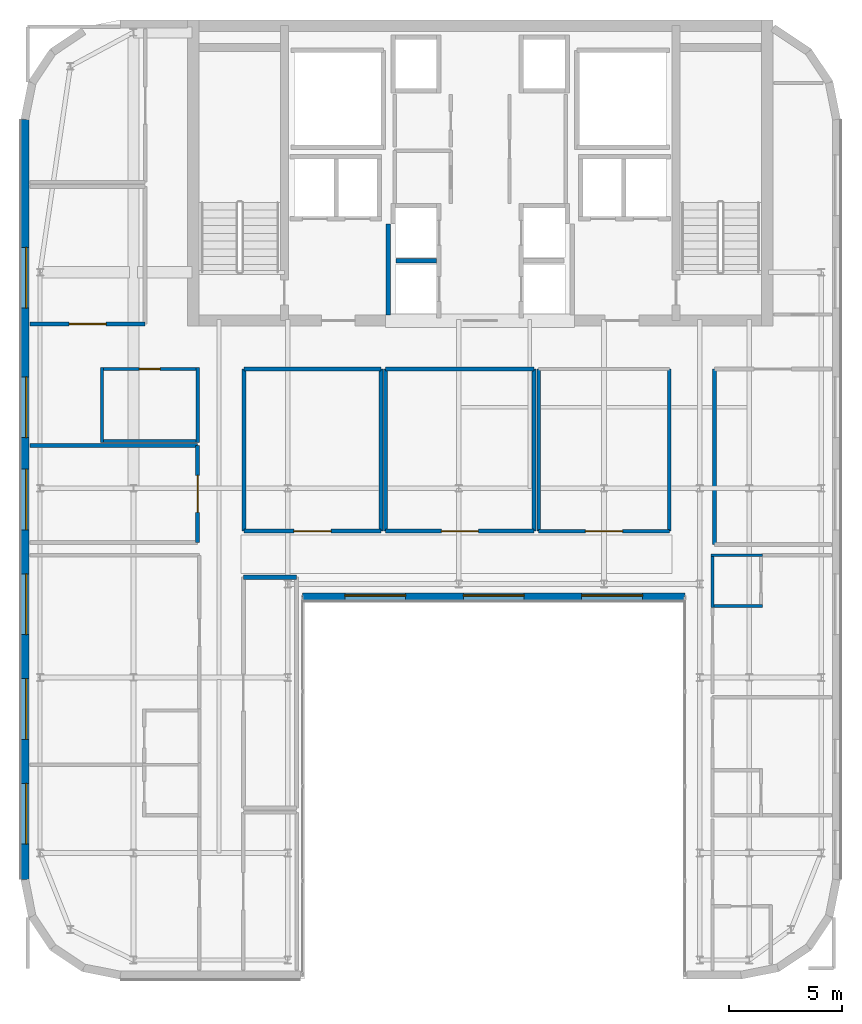
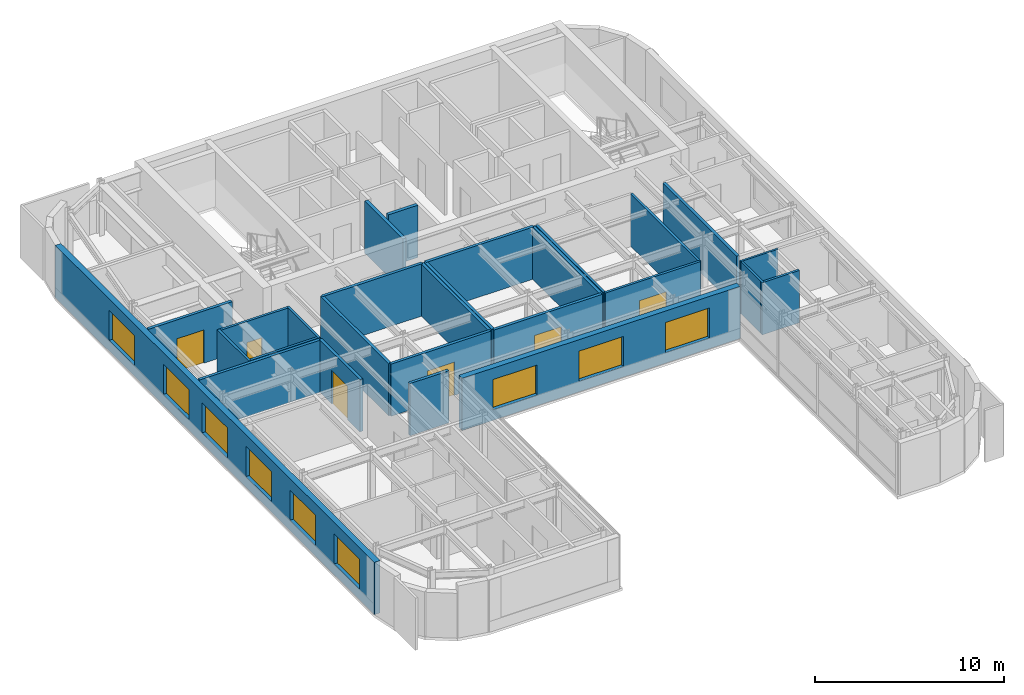
# One storey, part 14 of 21: 27 walls, 9 windows, 6 doors, 15 openings.
"""IFC4 building model written with IfcOpenShell, lengths in metres."""

from ifc_helpers import new_model, si_unit, direction, frame, frame_2d, origin, place, context, subcontext, project, spatial, rectangle, extrude, source, transform, mapped, material, layer, layer_set, type_object, type_shapes, element, fill, save


model = new_model("IFC4")

# Units and contexts
model_context = context("Model", 3, precision=1e-05, world=origin(), true_north=direction((0.0, 1.0)))
body_context = subcontext(model_context, "Body", "Model", "MODEL_VIEW")
ifc_project = project(units=[si_unit("LENGTHUNIT", "METRE"), si_unit("AREAUNIT", "SQUARE_METRE"), si_unit("VOLUMEUNIT", "CUBIC_METRE"), si_unit("PLANEANGLEUNIT", "RADIAN"), si_unit("MASSUNIT", "GRAM", prefix="KILO")], contexts=[model_context])

# Site, building, storey
site_placement = place(None, origin())
site = spatial("IfcSite", under=ifc_project, at=site_placement, CompositionType="ELEMENT")
building_placement = place(site_placement, origin())
building = spatial("IfcBuilding", under=site, at=building_placement, Name="Tolvann Quenvar Hotel", CompositionType="ELEMENT")
storey_placement = place(building_placement, frame((0.0, 0.0, 255.85009765625)))
storey = spatial("IfcBuildingStorey", under=building, at=storey_placement, Name="L68", CompositionType="ELEMENT", Elevation=255.85009765625)

# Wall, openings, windows
ifc_material_1 = material(Name="Kiln-fired red and buff architectural clay brickwork and terracotta masonry", Category="masonry")
ifc_layer_1 = layer(ifc_material_1, 0.35009765625)
ifc_layer_set_1 = layer_set([ifc_layer_1], Name="Kiln-fired red and buff architectural clay brickwork and terracotta masonry")
wall_type_1 = type_object("IfcWallType", Name="WALL_EXT_BRICK_350", PredefinedType="SOLIDWALL", material=ifc_layer_set_1)
wall_1_placement = place(storey_placement, frame((15.110107421875, 19.574951171875, 0.0), z_axis=(0.0, 0.0, 1.0), x_axis=(1.0, 0.0, 0.0)))
wall_1 = element("IfcWall", 1, at=wall_1_placement, inside=storey, type_object=wall_type_1, Name="Exterior Chicago Brick Wall L68-E06", PredefinedType="SOLIDWALL", context=body_context, shape_type="SweptSolid", body=[
    extrude(rectangle(XDim=16.97998046875, YDim=0.35009765625, at=frame_2d((8.489990234375, 0.0))), origin(), (0.0, 0.0, 1.0), 3.369873046875),
])
opening_1_placement = place(wall_1_placement, frame((1.8798828125, 0.0, 0.679931640625)))
opening_1 = element("IfcOpeningElement", 2, at=opening_1_placement, cuts=wall_1, Name="Opening W-04", PredefinedType="OPENING", context=body_context, shape_type="SweptSolid", body=[
    extrude(rectangle(XDim=2.699951171875, YDim=1.949951171875, at=frame_2d((1.35009765625, 0.97509765625))), frame((0.0, 0.18505859375, 0.0), z_axis=(0.0, -1.0, 0.0), x_axis=(1.0, 0.0, 0.0)), (0.0, 0.0, 1.0), 0.3701171875),
])
opening_2_placement = place(wall_1_placement, frame((7.139892578125, 0.0, 0.679931640625)))
opening_2 = element("IfcOpeningElement", 3, at=opening_2_placement, cuts=wall_1, Name="Opening W-04", PredefinedType="OPENING", context=body_context, shape_type="SweptSolid", body=[
    extrude(rectangle(XDim=2.699951171875, YDim=1.949951171875, at=frame_2d((1.35009765625, 0.97509765625))), frame((0.0, 0.18505859375, 0.0), z_axis=(0.0, -1.0, 0.0), x_axis=(1.0, 0.0, 0.0)), (0.0, 0.0, 1.0), 0.3701171875),
])
opening_3_placement = place(wall_1_placement, frame((12.39990234375, 0.0, 0.679931640625)))
opening_3 = element("IfcOpeningElement", 4, at=opening_3_placement, cuts=wall_1, Name="Opening W-04", PredefinedType="OPENING", context=body_context, shape_type="SweptSolid", body=[
    extrude(rectangle(XDim=2.699951171875, YDim=1.949951171875, at=frame_2d((1.35009765625, 0.97509765625))), frame((0.0, 0.18505859375, 0.0), z_axis=(0.0, -1.0, 0.0), x_axis=(1.0, 0.0, 0.0)), (0.0, 0.0, 1.0), 0.3701171875),
])
ifc_material_2 = material(Name="Thermally broken bronze-anodised aluminium frame with double low-E glazing", Category="aluminium")
window_type = type_object("IfcWindowType", Name="WIN_STE_2700x2150", PartitioningType="TRIPLE_PANEL_HORIZONTAL", PredefinedType="WINDOW", material=ifc_material_2)
shared_shape_1 = source(origin(), body_context, "Body", "SweptSolid", [
    extrude(rectangle(XDim=2.699951171875, YDim=1.949951171875, at=frame_2d((1.35009765625, 0.97509765625))), frame((0.0, 0.090087890625, 0.0), z_axis=(0.0, -1.0, 0.0), x_axis=(1.0, 0.0, 0.0)), (0.0, 0.0, 1.0), 0.06005859375),
])
type_shapes(window_type, [shared_shape_1])
window_1_placement = place(opening_1_placement, origin())
window_1 = element("IfcWindow", 5, at=window_1_placement, inside=storey, type_object=window_type, Name="Chicago Window W-04 (EW-L68-E06-W01)", OverallHeight=1.949951171875, OverallWidth=2.699951171875, PartitioningType="TRIPLE_PANEL_HORIZONTAL", PredefinedType="WINDOW", context=body_context, shape_type="MappedRepresentation", body=[
    mapped(shared_shape_1, transform((0.0, 0.0, 0.0), x_axis=(1.0, 0.0, 0.0), y_axis=(0.0, 1.0, 0.0), z_axis=(0.0, 0.0, 1.0), scale=1.0)),
])
fill(opening_1, window_1)
window_2_placement = place(opening_2_placement, origin())
window_2 = element("IfcWindow", 6, at=window_2_placement, inside=storey, type_object=window_type, Name="Chicago Window W-04 (EW-L68-E06-W02)", OverallHeight=1.949951171875, OverallWidth=2.699951171875, PartitioningType="TRIPLE_PANEL_HORIZONTAL", PredefinedType="WINDOW", context=body_context, shape_type="MappedRepresentation", body=[
    mapped(shared_shape_1, transform((0.0, 0.0, 0.0), x_axis=(1.0, 0.0, 0.0), y_axis=(0.0, 1.0, 0.0), z_axis=(0.0, 0.0, 1.0), scale=1.0)),
])
fill(opening_2, window_2)
window_3_placement = place(opening_3_placement, origin())
window_3 = element("IfcWindow", 7, at=window_3_placement, inside=storey, type_object=window_type, Name="Chicago Window W-04 (EW-L68-E06-W03)", OverallHeight=1.949951171875, OverallWidth=2.699951171875, PartitioningType="TRIPLE_PANEL_HORIZONTAL", PredefinedType="WINDOW", context=body_context, shape_type="MappedRepresentation", body=[
    mapped(shared_shape_1, transform((0.0, 0.0, 0.0), x_axis=(1.0, 0.0, 0.0), y_axis=(0.0, 1.0, 0.0), z_axis=(0.0, 0.0, 1.0), scale=1.0)),
])
fill(opening_3, window_3)

wall_2_placement = place(storey_placement, frame((2.77490234375, 40.78271484375, 0.0), z_axis=(0.0, 0.0, 1.0), x_axis=(0.0, -1.0, 0.0)))
wall_2 = element("IfcWall", 8, at=wall_2_placement, inside=storey, type_object=wall_type_1, Name="Exterior Chicago Brick Wall L68-E23", PredefinedType="SOLIDWALL", context=body_context, shape_type="SweptSolid", body=[
    extrude(rectangle(XDim=33.765625, YDim=0.35009765625, at=frame_2d((16.8828125, 0.0))), origin(), (0.0, 0.0, 1.0), 3.369873046875),
])
opening_4_placement = place(wall_2_placement, frame((5.677978515625, 0.0, 0.679931640625)))
opening_4 = element("IfcOpeningElement", 9, at=opening_4_placement, cuts=wall_2, Name="Opening W-04", PredefinedType="OPENING", context=body_context, shape_type="SweptSolid", body=[
    extrude(rectangle(XDim=2.699951171875, YDim=1.949951171875, at=frame_2d((1.35009765625, 0.97509765625))), frame((0.0, 0.18505859375, 0.0), z_axis=(0.0, -1.0, 0.0), x_axis=(1.0, 0.0, 0.0)), (0.0, 0.0, 1.0), 0.3701171875),
])
opening_5_placement = place(wall_2_placement, frame((11.430908203125, 0.0, 0.679931640625)))
opening_5 = element("IfcOpeningElement", 10, at=opening_5_placement, cuts=wall_2, Name="Opening W-04", PredefinedType="OPENING", context=body_context, shape_type="SweptSolid", body=[
    extrude(rectangle(XDim=2.699951171875, YDim=1.949951171875, at=frame_2d((1.35009765625, 0.97509765625))), frame((0.0, 0.18505859375, 0.0), z_axis=(0.0, -1.0, 0.0), x_axis=(1.0, 0.0, 0.0)), (0.0, 0.0, 1.0), 0.3701171875),
])
opening_6_placement = place(wall_2_placement, frame((15.532958984375, 0.0, 0.679931640625)))
opening_6 = element("IfcOpeningElement", 11, at=opening_6_placement, cuts=wall_2, Name="Opening W-04", PredefinedType="OPENING", context=body_context, shape_type="SweptSolid", body=[
    extrude(rectangle(XDim=2.699951171875, YDim=1.949951171875, at=frame_2d((1.35009765625, 0.97509765625))), frame((0.0, 0.18505859375, 0.0), z_axis=(0.0, -1.0, 0.0), x_axis=(1.0, 0.0, 0.0)), (0.0, 0.0, 1.0), 0.3701171875),
])
opening_7_placement = place(wall_2_placement, frame((20.18505859375, 0.0, 0.679931640625)))
opening_7 = element("IfcOpeningElement", 12, at=opening_7_placement, cuts=wall_2, Name="Opening W-04", PredefinedType="OPENING", context=body_context, shape_type="SweptSolid", body=[
    extrude(rectangle(XDim=2.699951171875, YDim=1.949951171875, at=frame_2d((1.35009765625, 0.97509765625))), frame((0.0, 0.18505859375, 0.0), z_axis=(0.0, -1.0, 0.0), x_axis=(1.0, 0.0, 0.0)), (0.0, 0.0, 1.0), 0.3701171875),
])
opening_8_placement = place(wall_2_placement, frame((24.8369140625, 0.0, 0.679931640625)))
opening_8 = element("IfcOpeningElement", 13, at=opening_8_placement, cuts=wall_2, Name="Opening W-04", PredefinedType="OPENING", context=body_context, shape_type="SweptSolid", body=[
    extrude(rectangle(XDim=2.699951171875, YDim=1.949951171875, at=frame_2d((1.35009765625, 0.97509765625))), frame((0.0, 0.18505859375, 0.0), z_axis=(0.0, -1.0, 0.0), x_axis=(1.0, 0.0, 0.0)), (0.0, 0.0, 1.0), 0.3701171875),
])
opening_9_placement = place(wall_2_placement, frame((29.489013671875, 0.0, 0.679931640625)))
opening_9 = element("IfcOpeningElement", 14, at=opening_9_placement, cuts=wall_2, Name="Opening W-04", PredefinedType="OPENING", context=body_context, shape_type="SweptSolid", body=[
    extrude(rectangle(XDim=2.699951171875, YDim=1.949951171875, at=frame_2d((1.35009765625, 0.97509765625))), frame((0.0, 0.18505859375, 0.0), z_axis=(0.0, -1.0, 0.0), x_axis=(1.0, 0.0, 0.0)), (0.0, 0.0, 1.0), 0.3701171875),
])
window_4_placement = place(opening_4_placement, origin())
window_4 = element("IfcWindow", 15, at=window_4_placement, inside=storey, type_object=window_type, Name="Chicago Window W-04 (EW-L68-E23-W01)", OverallHeight=1.949951171875, OverallWidth=2.699951171875, PartitioningType="TRIPLE_PANEL_HORIZONTAL", PredefinedType="WINDOW", context=body_context, shape_type="MappedRepresentation", body=[
    mapped(shared_shape_1, transform((0.0, 0.0, 0.0), x_axis=(1.0, 0.0, 0.0), y_axis=(0.0, 1.0, 0.0), z_axis=(0.0, 0.0, 1.0), scale=1.0)),
])
fill(opening_4, window_4)
window_5_placement = place(opening_5_placement, origin())
window_5 = element("IfcWindow", 16, at=window_5_placement, inside=storey, type_object=window_type, Name="Chicago Window W-04 (EW-L68-E23-W02)", OverallHeight=1.949951171875, OverallWidth=2.699951171875, PartitioningType="TRIPLE_PANEL_HORIZONTAL", PredefinedType="WINDOW", context=body_context, shape_type="MappedRepresentation", body=[
    mapped(shared_shape_1, transform((0.0, 0.0, 0.0), x_axis=(1.0, 0.0, 0.0), y_axis=(0.0, 1.0, 0.0), z_axis=(0.0, 0.0, 1.0), scale=1.0)),
])
fill(opening_5, window_5)
window_6_placement = place(opening_6_placement, origin())
window_6 = element("IfcWindow", 17, at=window_6_placement, inside=storey, type_object=window_type, Name="Chicago Window W-04 (EW-L68-E23-W03)", OverallHeight=1.949951171875, OverallWidth=2.699951171875, PartitioningType="TRIPLE_PANEL_HORIZONTAL", PredefinedType="WINDOW", context=body_context, shape_type="MappedRepresentation", body=[
    mapped(shared_shape_1, transform((0.0, 0.0, 0.0), x_axis=(1.0, 0.0, 0.0), y_axis=(0.0, 1.0, 0.0), z_axis=(0.0, 0.0, 1.0), scale=1.0)),
])
fill(opening_6, window_6)
window_7_placement = place(opening_7_placement, origin())
window_7 = element("IfcWindow", 18, at=window_7_placement, inside=storey, type_object=window_type, Name="Chicago Window W-04 (EW-L68-E23-W04)", OverallHeight=1.949951171875, OverallWidth=2.699951171875, PartitioningType="TRIPLE_PANEL_HORIZONTAL", PredefinedType="WINDOW", context=body_context, shape_type="MappedRepresentation", body=[
    mapped(shared_shape_1, transform((0.0, 0.0, 0.0), x_axis=(1.0, 0.0, 0.0), y_axis=(0.0, 1.0, 0.0), z_axis=(0.0, 0.0, 1.0), scale=1.0)),
])
fill(opening_7, window_7)
window_8_placement = place(opening_8_placement, origin())
window_8 = element("IfcWindow", 19, at=window_8_placement, inside=storey, type_object=window_type, Name="Chicago Window W-04 (EW-L68-E23-W05)", OverallHeight=1.949951171875, OverallWidth=2.699951171875, PartitioningType="TRIPLE_PANEL_HORIZONTAL", PredefinedType="WINDOW", context=body_context, shape_type="MappedRepresentation", body=[
    mapped(shared_shape_1, transform((0.0, 0.0, 0.0), x_axis=(1.0, 0.0, 0.0), y_axis=(0.0, 1.0, 0.0), z_axis=(0.0, 0.0, 1.0), scale=1.0)),
])
fill(opening_8, window_8)
window_9_placement = place(opening_9_placement, origin())
window_9 = element("IfcWindow", 20, at=window_9_placement, inside=storey, type_object=window_type, Name="Chicago Window W-04 (EW-L68-E23-W06)", OverallHeight=1.949951171875, OverallWidth=2.699951171875, PartitioningType="TRIPLE_PANEL_HORIZONTAL", PredefinedType="WINDOW", context=body_context, shape_type="MappedRepresentation", body=[
    mapped(shared_shape_1, transform((0.0, 0.0, 0.0), x_axis=(1.0, 0.0, 0.0), y_axis=(0.0, 1.0, 0.0), z_axis=(0.0, 0.0, 1.0), scale=1.0)),
])
fill(opening_9, window_9)

# Wall
ifc_material_3 = material(Name="Acoustic twin-stud fire-rated gypsum plasterboard partition")
ifc_layer_2 = layer(ifc_material_3, 0.179931640625)
ifc_layer_set_2 = layer_set([ifc_layer_2], Name="Acoustic twin-stud fire-rated gypsum plasterboard partition")
wall_type_2 = type_object("IfcWallType", Name="WALL_PART_ACOUSTIC_180", PredefinedType="PARTITIONING", material=ifc_layer_set_2)
wall_3_placement = place(storey_placement, frame((12.47998046875, 20.449951171875, 0.0), z_axis=(0.0, 0.0, 1.0), x_axis=(1.0, 0.0, 0.0)))
element("IfcWall", 21, at=wall_3_placement, inside=storey, type_object=wall_type_2, Name="Interior Partition PT-SPC-L68-POVL-N", PredefinedType="PARTITIONING", context=body_context, shape_type="SweptSolid", body=[
    extrude(rectangle(XDim=2.3701171875, YDim=0.179931640625, at=frame_2d((1.18505859375, 0.0))), origin(), (0.0, 0.0, 1.0), 3.369873046875),
])

# Wall, opening, door
wall_4_placement = place(storey_placement, frame((12.5, 22.5, 0.0), z_axis=(0.0, 0.0, 1.0), x_axis=(1.0, 0.0, 0.0)))
wall_4 = element("IfcWall", 22, at=wall_4_placement, inside=storey, type_object=wall_type_2, Name="Interior Partition PT-SPC-L68-PCNTR1-S", PredefinedType="PARTITIONING", context=body_context, shape_type="SweptSolid", body=[
    extrude(rectangle(XDim=6.10009765625, YDim=0.179931640625, at=frame_2d((3.050048828125, 0.0))), origin(), (0.0, 0.0, 1.0), 3.369873046875),
])
opening_10_placement = place(wall_4_placement, frame((2.22509765625, 0.0, 0.0)))
opening_10 = element("IfcOpeningElement", 23, at=opening_10_placement, cuts=wall_4, Name="Opening AD-01", PredefinedType="OPENING", context=body_context, shape_type="SweptSolid", body=[
    extrude(rectangle(XDim=1.64990234375, YDim=2.14990234375, at=frame_2d((0.824951171875, 1.074951171875))), frame((0.0, 0.10009765625, 0.0), z_axis=(0.0, -1.0, 0.0), x_axis=(1.0, 0.0, 0.0)), (0.0, 0.0, 1.0), 0.199951171875),
])
ifc_material_4 = material(Name="Solid-core American oak acoustic fire door leaf in steel frame", Category="steel")
door_type_1 = type_object("IfcDoorType", Name="DOOR_SALON_1650", OperationType="NOTDEFINED", PredefinedType="DOOR", material=ifc_material_4)
shared_shape_2 = source(origin(), body_context, "Body", "SweptSolid", [
    extrude(rectangle(XDim=1.64990234375, YDim=2.14990234375, at=frame_2d((0.824951171875, 1.074951171875))), frame((0.0, 0.02490234375, 0.0), z_axis=(0.0, -1.0, 0.0), x_axis=(1.0, 0.0, 0.0)), (0.0, 0.0, 1.0), 0.050048828125),
])
type_shapes(door_type_1, [shared_shape_2])
door_1_placement = place(opening_10_placement, origin())
door_1 = element("IfcDoor", 24, at=door_1_placement, inside=storey, type_object=door_type_1, Name="Interior Door DOOR-SPC-L68-PCNTR1", OperationType="DOUBLE_DOOR_SINGLE_SWING", OverallHeight=2.14990234375, OverallWidth=1.64990234375, PredefinedType="DOOR", context=body_context, shape_type="MappedRepresentation", body=[
    mapped(shared_shape_2, transform((0.0, 0.0, 0.0), x_axis=(1.0, 0.0, 0.0), y_axis=(0.0, 1.0, 0.0), z_axis=(0.0, 0.0, 1.0), scale=1.0)),
])
fill(opening_10, door_1)

# Walls
wall_5_placement = place(storey_placement, frame((12.5, 29.699951171875, 0.0), z_axis=(0.0, 0.0, 1.0), x_axis=(1.0, 0.0, 0.0)))
element("IfcWall", 25, at=wall_5_placement, inside=storey, type_object=wall_type_2, Name="Interior Partition PT-SPC-L68-PCNTR1-N", PredefinedType="PARTITIONING", context=body_context, shape_type="SweptSolid", body=[
    extrude(rectangle(XDim=6.10009765625, YDim=0.179931640625, at=frame_2d((3.050048828125, 0.0))), origin(), (0.0, 0.0, 1.0), 3.369873046875),
])
for number, where, z_axis, x_axis, name in (
    (26, (12.5, 22.5, 0.0), (0.0, 0.0, 1.0), (0.0, 1.0, 0.0), "Interior Partition PT-SPC-L68-PCNTR1-W"),
    (27, (18.60009765625, 22.5, 0.0), (0.0, 0.0, 1.0), (0.0, 1.0, 0.0), "Interior Partition PT-SPC-L68-PCNTR1-E"),
):
    element("IfcWall", number, at=place(storey_placement, frame(where, z_axis=z_axis, x_axis=x_axis)), inside=storey, type_object=wall_type_2, Name=name, PredefinedType="PARTITIONING", context=body_context, shape_type="SweptSolid", body=[
        extrude(rectangle(XDim=7.199951171875, YDim=0.179931640625, at=frame_2d((3.60009765625, 0.0))), origin(), (0.0, 0.0, 1.0), 3.369873046875),
    ])

# Wall, opening, door
wall_6_placement = place(storey_placement, frame((18.800048828125, 22.5, 0.0), z_axis=(0.0, 0.0, 1.0), x_axis=(1.0, 0.0, 0.0)))
wall_6 = element("IfcWall", 28, at=wall_6_placement, inside=storey, type_object=wall_type_2, Name="Interior Partition PT-SPC-L68-PCNTR2-S", PredefinedType="PARTITIONING", context=body_context, shape_type="SweptSolid", body=[
    extrude(rectangle(XDim=6.599853515625, YDim=0.179931640625, at=frame_2d((3.2998046875, 0.0))), origin(), (0.0, 0.0, 1.0), 3.369873046875),
])
opening_11_placement = place(wall_6_placement, frame((2.47509765625, 0.0, 0.0)))
opening_11 = element("IfcOpeningElement", 29, at=opening_11_placement, cuts=wall_6, Name="Opening AD-01", PredefinedType="OPENING", context=body_context, shape_type="SweptSolid", body=[
    extrude(rectangle(XDim=1.64990234375, YDim=2.14990234375, at=frame_2d((0.824951171875, 1.074951171875))), frame((0.0, 0.10009765625, 0.0), z_axis=(0.0, -1.0, 0.0), x_axis=(1.0, 0.0, 0.0)), (0.0, 0.0, 1.0), 0.199951171875),
])
door_2_placement = place(opening_11_placement, origin())
door_2 = element("IfcDoor", 30, at=door_2_placement, inside=storey, type_object=door_type_1, Name="Interior Door DOOR-SPC-L68-PCNTR2", OperationType="DOUBLE_DOOR_SINGLE_SWING", OverallHeight=2.14990234375, OverallWidth=1.64990234375, PredefinedType="DOOR", context=body_context, shape_type="MappedRepresentation", body=[
    mapped(shared_shape_2, transform((0.0, 0.0, 0.0), x_axis=(1.0, 0.0, 0.0), y_axis=(0.0, 1.0, 0.0), z_axis=(0.0, 0.0, 1.0), scale=1.0)),
])
fill(opening_11, door_2)

# Walls
wall_7_placement = place(storey_placement, frame((18.800048828125, 29.699951171875, 0.0), z_axis=(0.0, 0.0, 1.0), x_axis=(1.0, 0.0, 0.0)))
element("IfcWall", 31, at=wall_7_placement, inside=storey, type_object=wall_type_2, Name="Interior Partition PT-SPC-L68-PCNTR2-N", PredefinedType="PARTITIONING", context=body_context, shape_type="SweptSolid", body=[
    extrude(rectangle(XDim=6.599853515625, YDim=0.179931640625, at=frame_2d((3.2998046875, 0.0))), origin(), (0.0, 0.0, 1.0), 3.369873046875),
])
for number, where, z_axis, x_axis, name in (
    (32, (18.800048828125, 22.5, 0.0), (0.0, 0.0, 1.0), (0.0, 1.0, 0.0), "Interior Partition PT-SPC-L68-PCNTR2-W"),
    (33, (25.39990234375, 22.5, 0.0), (0.0, 0.0, 1.0), (0.0, 1.0, 0.0), "Interior Partition PT-SPC-L68-PCNTR2-E"),
):
    element("IfcWall", number, at=place(storey_placement, frame(where, z_axis=z_axis, x_axis=x_axis)), inside=storey, type_object=wall_type_2, Name=name, PredefinedType="PARTITIONING", context=body_context, shape_type="SweptSolid", body=[
        extrude(rectangle(XDim=7.199951171875, YDim=0.179931640625, at=frame_2d((3.60009765625, 0.0))), origin(), (0.0, 0.0, 1.0), 3.369873046875),
    ])
wall_8_placement = place(storey_placement, frame((3.0048828125, 26.300048828125, 0.0), z_axis=(0.0, 0.0, 1.0), x_axis=(1.0, 0.0, 0.0)))
element("IfcWall", 34, at=wall_8_placement, inside=storey, type_object=wall_type_2, Name="Interior Partition PT-SPC-L68-WCLNG-N", PredefinedType="PARTITIONING", context=body_context, shape_type="SweptSolid", body=[
    extrude(rectangle(XDim=7.445068359375, YDim=0.179931640625, at=frame_2d((3.72265625, 0.0))), origin(), (0.0, 0.0, 1.0), 3.369873046875),
])

# Wall, opening, door
wall_9_placement = place(storey_placement, frame((10.449951171875, 22.0, 0.0), z_axis=(0.0, 0.0, 1.0), x_axis=(0.0, 1.0, 0.0)))
wall_9 = element("IfcWall", 35, at=wall_9_placement, inside=storey, type_object=wall_type_2, Name="Interior Partition PT-SPC-L68-WCLNG-E", PredefinedType="PARTITIONING", context=body_context, shape_type="SweptSolid", body=[
    extrude(rectangle(XDim=4.300048828125, YDim=0.179931640625, at=frame_2d((2.14990234375, 0.0))), origin(), (0.0, 0.0, 1.0), 3.369873046875),
])
opening_12_placement = place(wall_9_placement, frame((1.324951171875, 0.0, 0.0)))
opening_12 = element("IfcOpeningElement", 36, at=opening_12_placement, cuts=wall_9, Name="Opening AD-01", PredefinedType="OPENING", context=body_context, shape_type="SweptSolid", body=[
    extrude(rectangle(XDim=1.64990234375, YDim=2.14990234375, at=frame_2d((0.824951171875, 1.074951171875))), frame((0.0, 0.10009765625, 0.0), z_axis=(0.0, -1.0, 0.0), x_axis=(1.0, 0.0, 0.0)), (0.0, 0.0, 1.0), 0.199951171875),
])
door_3_placement = place(opening_12_placement, origin())
door_3 = element("IfcDoor", 37, at=door_3_placement, inside=storey, type_object=door_type_1, Name="Interior Door DOOR-SPC-L68-WCLNG", OperationType="DOUBLE_DOOR_SINGLE_SWING", OverallHeight=2.14990234375, OverallWidth=1.64990234375, PredefinedType="DOOR", context=body_context, shape_type="MappedRepresentation", body=[
    mapped(shared_shape_2, transform((0.0, 0.0, 0.0), x_axis=(1.0, 0.0, 0.0), y_axis=(0.0, 1.0, 0.0), z_axis=(0.0, 0.0, 1.0), scale=1.0)),
])
fill(opening_12, door_3)

wall_10_placement = place(storey_placement, frame((3.0048828125, 31.699951171875, 0.0), z_axis=(0.0, 0.0, 1.0), x_axis=(1.0, 0.0, 0.0)))
wall_10 = element("IfcWall", 38, at=wall_10_placement, inside=storey, type_object=wall_type_2, Name="Interior Partition PT-SPC-L68-SAL-S", PredefinedType="PARTITIONING", context=body_context, shape_type="SweptSolid", body=[
    extrude(rectangle(XDim=5.115234375, YDim=0.179931640625, at=frame_2d((2.5576171875, 0.0))), origin(), (0.0, 0.0, 1.0), 3.369873046875),
])
opening_13_placement = place(wall_10_placement, frame((1.732421875, 0.0, 0.0)))
opening_13 = element("IfcOpeningElement", 39, at=opening_13_placement, cuts=wall_10, Name="Opening AD-01", PredefinedType="OPENING", context=body_context, shape_type="SweptSolid", body=[
    extrude(rectangle(XDim=1.64990234375, YDim=2.14990234375, at=frame_2d((0.824951171875, 1.074951171875))), frame((0.0, 0.10009765625, 0.0), z_axis=(0.0, -1.0, 0.0), x_axis=(1.0, 0.0, 0.0)), (0.0, 0.0, 1.0), 0.199951171875),
])
door_4_placement = place(opening_13_placement, origin())
door_4 = element("IfcDoor", 40, at=door_4_placement, inside=storey, type_object=door_type_1, Name="Interior Door DOOR-SPC-L68-SAL", OperationType="DOUBLE_DOOR_SINGLE_SWING", OverallHeight=2.14990234375, OverallWidth=1.64990234375, PredefinedType="DOOR", context=body_context, shape_type="MappedRepresentation", body=[
    mapped(shared_shape_2, transform((0.0, 0.0, 0.0), x_axis=(1.0, 0.0, 0.0), y_axis=(0.0, 1.0, 0.0), z_axis=(0.0, 0.0, 1.0), scale=1.0)),
])
fill(opening_13, door_4)

# Walls
wall_11_placement = place(storey_placement, frame((33.39990234375, 21.89990234375, 0.0), z_axis=(0.0, 0.0, 1.0), x_axis=(0.0, 1.0, 0.0)))
element("IfcWall", 41, at=wall_11_placement, inside=storey, type_object=wall_type_2, Name="Interior Partition PT-SPC-L68-PNE1-W", PredefinedType="PARTITIONING", context=body_context, shape_type="SweptSolid", body=[
    extrude(rectangle(XDim=7.800048828125, YDim=0.179931640625, at=frame_2d((3.89990234375, 0.0))), origin(), (0.0, 0.0, 1.0), 3.369873046875),
])
ifc_material_5 = material(Name="Moisture-resistant acoustic plumbing wall assembly")
ifc_layer_3 = layer(ifc_material_5, 0.1201171875)
ifc_layer_set_3 = layer_set([ifc_layer_3], Name="Moisture-resistant acoustic plumbing wall assembly")
wall_type_3 = type_object("IfcWallType", Name="WALL_PART_BATH_120", PredefinedType="PLUMBINGWALL", material=ifc_layer_set_3)
wall_12_placement = place(storey_placement, frame((33.25, 21.419921875, 0.0), z_axis=(0.0, 0.0, 1.0), x_axis=(1.0, 0.0, 0.0)))
element("IfcWall", 42, at=wall_12_placement, inside=storey, type_object=wall_type_3, Name="Non-Rated Plumbing Partition PT-SPC-L68-ENS-PE03-N", PredefinedType="PLUMBINGWALL", context=body_context, shape_type="SweptSolid", body=[
    extrude(rectangle(XDim=2.2900390625, YDim=0.1201171875, at=frame_2d((1.14501953125, 0.0))), origin(), (0.0, 0.0, 1.0), 3.369873046875),
])
wall_13_placement = place(storey_placement, frame((33.320068359375, 19.10009765625, 0.0), z_axis=(0.0, 0.0, 1.0), x_axis=(0.0, 1.0, 0.0)))
element("IfcWall", 43, at=wall_13_placement, inside=storey, type_object=wall_type_3, Name="Non-Rated Plumbing Partition PT-SPC-L68-ENS-PE03-W", PredefinedType="PLUMBINGWALL", context=body_context, shape_type="SweptSolid", body=[
    extrude(rectangle(XDim=2.389892578125, YDim=0.1201171875, at=frame_2d((1.19482421875, 0.0))), origin(), (0.0, 0.0, 1.0), 3.369873046875),
])
ifc_layer_4 = layer(ifc_material_3, 0.14990234375)
ifc_layer_set_4 = layer_set([ifc_layer_4], Name="Acoustic twin-stud fire-rated gypsum plasterboard partition")
wall_type_4 = type_object("IfcWallType", Name="WALL_PART_SUITE_150", PredefinedType="PARTITIONING", material=ifc_layer_set_4)
wall_14_placement = place(storey_placement, frame((33.25, 19.169921875, 0.0), z_axis=(0.0, 0.0, 1.0), x_axis=(1.0, 0.0, 0.0)))
element("IfcWall", 44, at=wall_14_placement, inside=storey, type_object=wall_type_4, Name="Interior Partition PT-SPC-L68-ENS-PE03-S", PredefinedType="PARTITIONING", context=body_context, shape_type="SweptSolid", body=[
    extrude(rectangle(XDim=2.2900390625, YDim=0.14990234375, at=frame_2d((1.14501953125, 0.0))), origin(), (0.0, 0.0, 1.0), 3.369873046875),
])

# Wall, opening, door
wall_15_placement = place(storey_placement, frame((25.60009765625, 22.5, 0.0), z_axis=(0.0, 0.0, 1.0), x_axis=(1.0, 0.0, 0.0)))
wall_15 = element("IfcWall", 45, at=wall_15_placement, inside=storey, type_object=wall_type_4, Name="Interior Partition PT-SPC-L68-PCNTR3-S", PredefinedType="PARTITIONING", context=body_context, shape_type="SweptSolid", body=[
    extrude(rectangle(XDim=5.7998046875, YDim=0.14990234375, at=frame_2d((2.89990234375, 0.0))), origin(), (0.0, 0.0, 1.0), 3.369873046875),
])
opening_14_placement = place(wall_15_placement, frame((2.074951171875, 0.0, 0.0)))
opening_14 = element("IfcOpeningElement", 46, at=opening_14_placement, cuts=wall_15, Name="Opening AD-01", PredefinedType="OPENING", context=body_context, shape_type="SweptSolid", body=[
    extrude(rectangle(XDim=1.64990234375, YDim=2.14990234375, at=frame_2d((0.824951171875, 1.074951171875))), frame((0.0, 0.0849609375, 0.0), z_axis=(0.0, -1.0, 0.0), x_axis=(1.0, 0.0, 0.0)), (0.0, 0.0, 1.0), 0.169921875),
])
door_5_placement = place(opening_14_placement, origin())
door_5 = element("IfcDoor", 47, at=door_5_placement, inside=storey, type_object=door_type_1, Name="Interior Door DOOR-SPC-L68-PCNTR3", OperationType="DOUBLE_DOOR_SINGLE_SWING", OverallHeight=2.14990234375, OverallWidth=1.64990234375, PredefinedType="DOOR", context=body_context, shape_type="MappedRepresentation", body=[
    mapped(shared_shape_2, transform((0.0, 0.0, 0.0), x_axis=(1.0, 0.0, 0.0), y_axis=(0.0, 1.0, 0.0), z_axis=(0.0, 0.0, 1.0), scale=1.0)),
])
fill(opening_14, door_5)

# Walls
for number, where, z_axis, x_axis, name in (
    (48, (25.60009765625, 22.5, 0.0), (0.0, 0.0, 1.0), (0.0, 1.0, 0.0), "Interior Partition PT-SPC-L68-PCNTR3-W"),
    (49, (31.39990234375, 22.5, 0.0), (0.0, 0.0, 1.0), (0.0, 1.0, 0.0), "Interior Partition PT-SPC-L68-PCNTR3-E"),
):
    element("IfcWall", number, at=place(storey_placement, frame(where, z_axis=z_axis, x_axis=x_axis)), inside=storey, type_object=wall_type_4, Name=name, PredefinedType="PARTITIONING", context=body_context, shape_type="SweptSolid", body=[
        extrude(rectangle(XDim=7.199951171875, YDim=0.14990234375, at=frame_2d((3.60009765625, 0.0))), origin(), (0.0, 0.0, 1.0), 3.369873046875),
    ])
wall_16_placement = place(storey_placement, frame((6.1298828125, 26.5, 0.0), z_axis=(0.0, 0.0, 1.0), x_axis=(1.0, 0.0, 0.0)))
element("IfcWall", 50, at=wall_16_placement, inside=storey, type_object=wall_type_4, Name="Interior Partition PT-SPC-L68-WCA-S", PredefinedType="PARTITIONING", context=body_context, shape_type="SweptSolid", body=[
    extrude(rectangle(XDim=4.39013671875, YDim=0.14990234375, at=frame_2d((2.195068359375, 0.0))), origin(), (0.0, 0.0, 1.0), 3.369873046875),
])

# Wall, opening, door
wall_17_placement = place(storey_placement, frame((6.1298828125, 29.699951171875, 0.0), z_axis=(0.0, 0.0, 1.0), x_axis=(1.0, 0.0, 0.0)))
wall_17 = element("IfcWall", 51, at=wall_17_placement, inside=storey, type_object=wall_type_4, Name="Interior Partition PT-SPC-L68-WCA-N", PredefinedType="PARTITIONING", context=body_context, shape_type="SweptSolid", body=[
    extrude(rectangle(XDim=4.39013671875, YDim=0.14990234375, at=frame_2d((2.195068359375, 0.0))), origin(), (0.0, 0.0, 1.0), 3.369873046875),
])
opening_15_placement = place(wall_17_placement, frame((1.735107421875, 0.0, 0.0)))
opening_15 = element("IfcOpeningElement", 52, at=opening_15_placement, cuts=wall_17, Name="Opening WD-01", PredefinedType="OPENING", context=body_context, shape_type="SweptSolid", body=[
    extrude(rectangle(XDim=0.919921875, YDim=2.010009765625, at=frame_2d((0.4599609375, 1.0048828125))), frame((0.0, 0.0849609375, 0.0), z_axis=(0.0, -1.0, 0.0), x_axis=(1.0, 0.0, 0.0)), (0.0, 0.0, 1.0), 0.169921875),
])
door_type_2 = type_object("IfcDoorType", Name="DOOR_WC_920", OperationType="NOTDEFINED", PredefinedType="DOOR", material=ifc_material_4)
shared_shape_3 = source(origin(), body_context, "Body", "SweptSolid", [
    extrude(rectangle(XDim=0.919921875, YDim=2.010009765625, at=frame_2d((0.4599609375, 1.0048828125))), frame((0.0, 0.02490234375, 0.0), z_axis=(0.0, -1.0, 0.0), x_axis=(1.0, 0.0, 0.0)), (0.0, 0.0, 1.0), 0.050048828125),
])
type_shapes(door_type_2, [shared_shape_3])
door_6_placement = place(opening_15_placement, origin())
door_6 = element("IfcDoor", 53, at=door_6_placement, inside=storey, type_object=door_type_2, Name="Interior Door DOOR-SPC-L68-WCA", OperationType="SINGLE_SWING_RIGHT", OverallHeight=2.010009765625, OverallWidth=0.919921875, PredefinedType="DOOR", context=body_context, shape_type="MappedRepresentation", body=[
    mapped(shared_shape_3, transform((0.0, 0.0, 0.0), x_axis=(1.0, 0.0, 0.0), y_axis=(0.0, 1.0, 0.0), z_axis=(0.0, 0.0, 1.0), scale=1.0)),
])
fill(opening_15, door_6)

# Walls
for number, where, z_axis, x_axis, name in (
    (54, (6.199951171875, 26.429931640625, 0.0), (0.0, 0.0, 1.0), (0.0, 1.0, 0.0), "Interior Partition PT-SPC-L68-WCA-W"),
    (55, (10.449951171875, 26.429931640625, 0.0), (0.0, 0.0, 1.0), (0.0, 1.0, 0.0), "Interior Partition PT-SPC-L68-WCA-E"),
):
    element("IfcWall", number, at=place(storey_placement, frame(where, z_axis=z_axis, x_axis=x_axis)), inside=storey, type_object=wall_type_4, Name=name, PredefinedType="PARTITIONING", context=body_context, shape_type="SweptSolid", body=[
        extrude(rectangle(XDim=3.340087890625, YDim=0.14990234375, at=frame_2d((1.669921875, 0.0))), origin(), (0.0, 0.0, 1.0), 3.369873046875),
    ])
ifc_material_6 = material(Name="Concrete N40 (40 MPa)", Category="concrete")
ifc_layer_5 = layer(ifc_material_6, 0.199951171875)
ifc_layer_set_5 = layer_set([ifc_layer_5], Name="Concrete N40 (40 MPa)")
wall_type_5 = type_object("IfcWallType", Name="WALL_SHAFT_200", PredefinedType="SOLIDWALL", material=ifc_layer_set_5)
wall_18_placement = place(storey_placement, frame((18.919921875, 32.10400390625, 0.0), z_axis=(0.0, 0.0, 1.0), x_axis=(0.0, 1.0, 0.0)))
element("IfcWall", 56, at=wall_18_placement, inside=storey, type_object=wall_type_5, Name="Firefighting Lobby W Inner Fire Wall (L68)", PredefinedType="SOLIDWALL", context=body_context, shape_type="SweptSolid", body=[
    extrude(rectangle(XDim=4.0458984375, YDim=0.199951171875, at=frame_2d((2.02294921875, 0.0))), origin(), (0.0, 0.0, 1.0), 3.369873046875),
])
wall_19_placement = place(storey_placement, frame((19.27001953125, 34.5, 0.0), z_axis=(0.0, 0.0, 1.0), x_axis=(1.0, 0.0, 0.0)))
element("IfcWall", 57, at=wall_19_placement, inside=storey, type_object=wall_type_5, Name="Lift Bank E21.1C1 Divider Wall 1 (L68)", PredefinedType="SOLIDWALL", context=body_context, shape_type="SweptSolid", body=[
    extrude(rectangle(XDim=1.800048828125, YDim=0.199951171875, at=frame_2d((0.89990234375, 0.0))), origin(), (0.0, 0.0, 1.0), 3.369873046875),
])

save(model, "model.ifc")
